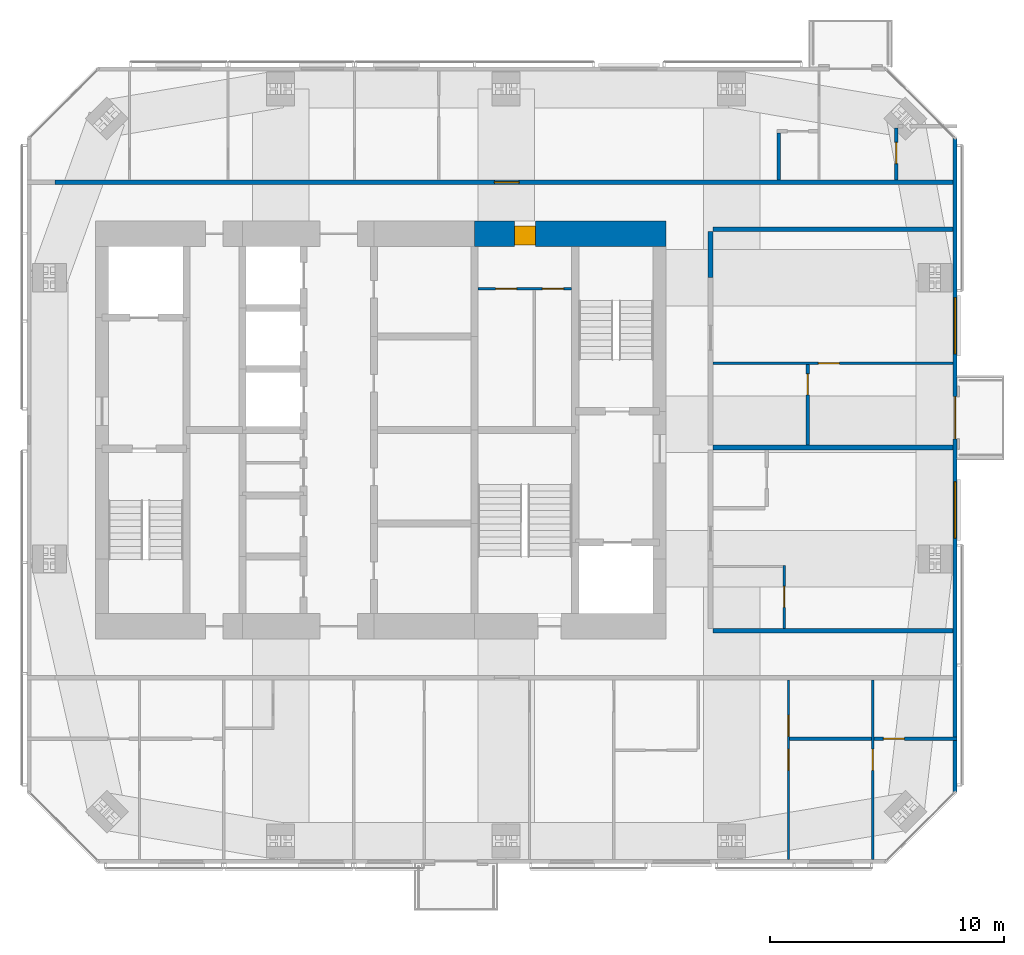
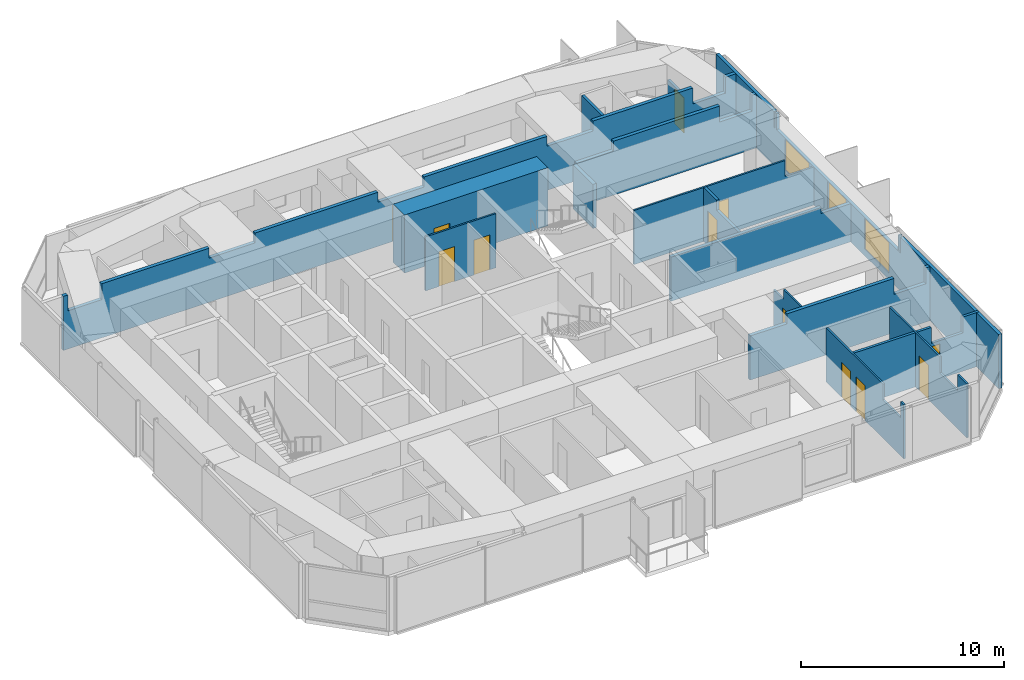
# One storey, part 16 of 18: 17 walls, 13 doors, 2 windows, 15 openings.
"""IFC4 building model written with IfcOpenShell, lengths in metres."""

import ifcopenshell
import ifcopenshell.guid

model = None  # the IFC model being written
_history = None  # IfcOwnerHistory: only IFC2X3 demands one
_inside = {}  # id of a spatial element -> (the spatial element, [elements in it])
_under = {}  # id of a project, library or spatial element -> (it, [spatial elements below it])
_declared = {}  # id of a project -> (the project, [libraries it declares])
_typed = {}  # id of a type object -> (the type object, [elements of that type])
_made_of = {}  # id of a material, layer set ... -> (it, [elements and type objects made of it])


def new_model(schema):
    """Start an empty IFC model of exactly this schema.

    Asked for "IFC4X3", IfcOpenShell would pick the latest addendum, in which some entities
    have other attributes; the version numbers below select the first issue.
    IFC2X3 requires an IfcOwnerHistory on every rooted entity: one is made here for all.
    """
    global model, _history
    if schema == "IFC4X3":
        model = ifcopenshell.file(schema_version=(4, 3, 0, 0))
    else:
        model = ifcopenshell.file(schema=schema)
    _inside.clear()
    _under.clear()
    _declared.clear()
    _typed.clear()
    _made_of.clear()
    _history = None
    if model.schema == "IFC2X3":
        org = make("IfcOrganization", Name="unknown")
        user = make(
            "IfcPersonAndOrganization",
            ThePerson=make("IfcPerson", FamilyName="unknown"),
            TheOrganization=org,
        )
        app = make(
            "IfcApplication",
            ApplicationDeveloper=org,
            Version="unknown",
            ApplicationFullName="unknown",
            ApplicationIdentifier="unknown",
        )
        _history = make(
            "IfcOwnerHistory",
            OwningUser=user,
            OwningApplication=app,
            ChangeAction="ADDED",
            CreationDate=0,
        )
    return model


def make(cls, **values):
    """One entity of the class cls with the attributes given. An attribute that is None is left unset."""
    return model.create_entity(
        cls, **{name: value for name, value in values.items() if value is not None}
    )


def rooted(cls, **values):
    """An entity with a GlobalId (a new one), such as an element, a storey or a relation."""
    return make(cls, GlobalId=ifcopenshell.guid.new(), OwnerHistory=_history, **values)


def si_unit(unit_type, name, prefix=None):
    """IfcSIUnit, for example si_unit("LENGTHUNIT", "METRE", prefix="MILLI")."""
    return make("IfcSIUnit", UnitType=unit_type, Prefix=prefix, Name=name)


def assignment(units):
    """IfcUnitAssignment: the units of a project."""
    return None if units is None else make("IfcUnitAssignment", Units=units)


def point(xyz):
    """IfcCartesianPoint."""
    return None if xyz is None else make("IfcCartesianPoint", Coordinates=xyz)


def direction(xyz):
    """IfcDirection."""
    return None if xyz is None else make("IfcDirection", DirectionRatios=xyz)


def frame(location, z_axis=None, x_axis=None):
    """IfcAxis2Placement3D, a coordinate frame: its origin and axes. An axis left out is left unset."""
    return make(
        "IfcAxis2Placement3D",
        Location=point(location),
        Axis=direction(z_axis),
        RefDirection=direction(x_axis),
    )


def frame_2d(location, x_axis=None):
    """IfcAxis2Placement2D, a coordinate frame in the plane: its origin and x axis."""
    return make(
        "IfcAxis2Placement2D", Location=point(location), RefDirection=direction(x_axis)
    )


def origin():
    """The frame at (0, 0, 0) with its axes left unset."""
    return frame((0.0, 0.0, 0.0))


def place(relative_to, where):
    """IfcLocalPlacement: puts the frame where relative to a parent placement (None: the world)."""
    return make(
        "IfcLocalPlacement", PlacementRelTo=relative_to, RelativePlacement=where
    )


def context(
    kind, dimensions, precision=None, world=None, true_north=None, identifier=None
):
    """IfcGeometricRepresentationContext, for example the 3D "Model" context."""
    return make(
        "IfcGeometricRepresentationContext",
        ContextIdentifier=identifier,
        ContextType=kind,
        CoordinateSpaceDimension=dimensions,
        Precision=precision,
        WorldCoordinateSystem=world,
        TrueNorth=true_north,
    )


def subcontext(parent, identifier, kind, view, scale=None):
    """IfcGeometricRepresentationSubContext, for example "Body" below "Model"."""
    return make(
        "IfcGeometricRepresentationSubContext",
        ContextIdentifier=identifier,
        ContextType=kind,
        ParentContext=parent,
        TargetScale=scale,
        TargetView=view,
    )


def project(units=None, contexts=None):
    """IfcProject with its units and contexts."""
    return rooted(
        "IfcProject",
        Name="project",
        RepresentationContexts=contexts,
        UnitsInContext=assignment(units),
    )


def spatial(cls, under=None, at=None, **own):
    """A site, building, storey or space (cls), placed at a placement, below another one or the project."""
    s = rooted(cls, ObjectPlacement=at, **own)
    if under is not None:
        _under.setdefault(under.id(), (under, []))[1].append(s)
    return s


def polyline(points):
    """IfcPolyline through the points."""
    return make("IfcPolyline", Points=[point(p) for p in points])


def profile(cls, at=None, kind="AREA", **sizes):
    """A parametric profile (cls). Its sizes go by their IFC names, for example OverallWidth=200.0."""
    return make(cls, ProfileType=kind, Position=at, **sizes)


def rectangle(**sizes):
    """IfcRectangleProfileDef."""
    return profile("IfcRectangleProfileDef", **sizes)


def outline(outer, holes=None, kind="AREA"):
    """IfcArbitraryClosedProfileDef: a profile drawn as a closed curve; with holes, ...WithVoids."""
    if holes is None:
        return make("IfcArbitraryClosedProfileDef", ProfileType=kind, OuterCurve=outer)
    return make(
        "IfcArbitraryProfileDefWithVoids",
        ProfileType=kind,
        OuterCurve=outer,
        InnerCurves=holes,
    )


def extrude(swept, where, along, depth):
    """IfcExtrudedAreaSolid: the profile swept, set in the frame where, extruded along a direction by depth."""
    return make(
        "IfcExtrudedAreaSolid",
        SweptArea=swept,
        Position=where,
        ExtrudedDirection=direction(along),
        Depth=depth,
    )


def shape(context_of_items, identifier, shape_type, items):
    """IfcShapeRepresentation: the items that make up one representation, for example the "Body"."""
    return make(
        "IfcShapeRepresentation",
        ContextOfItems=context_of_items,
        RepresentationIdentifier=identifier,
        RepresentationType=shape_type,
        Items=items,
    )


def material(Name=None, Category=None):
    """IfcMaterial."""
    return make("IfcMaterial", Name=Name, Category=Category)


def layer(
    of_material, thickness, ventilated=None, Name=None, Category=None, Priority=None
):
    """IfcMaterialLayer: one layer of a wall or slab, of a material (None: an air gap)."""
    return make(
        "IfcMaterialLayer",
        Material=of_material,
        LayerThickness=thickness,
        IsVentilated=ventilated,
        Name=Name,
        Category=Category,
        Priority=Priority,
    )


def layer_set(layers, Name=None):
    """IfcMaterialLayerSet."""
    return make("IfcMaterialLayerSet", MaterialLayers=layers, LayerSetName=Name)


def constituent(of_material, Name=None, Category=None, fraction=None):
    """IfcMaterialConstituent: one of the materials an element consists of."""
    return make(
        "IfcMaterialConstituent",
        Name=Name,
        Material=of_material,
        Fraction=fraction,
        Category=Category,
    )


def constituent_set(constituents=None, Name=None):
    """IfcMaterialConstituentSet."""
    return make(
        "IfcMaterialConstituentSet", Name=Name, MaterialConstituents=constituents
    )


def made_of(thing, what):
    """Note that an element or type object is made of a material, layer set ...; save() writes the relation."""
    if what is not None:
        _made_of.setdefault(what.id(), (what, []))[1].append(thing)
    return thing


def type_object(cls, material=None, **own):
    """A type object (cls), such as IfcWallType, which elements share."""
    return made_of(rooted(cls, **own), material)


def element(
    cls,
    number,
    at=None,
    inside=None,
    cuts=None,
    type_object=None,
    material=None,
    context=None,
    identifier="Body",
    shape_type=None,
    held_by="IfcProductDefinitionShape",
    body=None,
    shapes=None,
    **own,
):
    """One element of the class cls, such as IfcWall. Its Tag is "e" and its number.

    at: its placement. inside: the storey or other place that contains it. cuts: it is an
    opening in that element (IfcRelVoidsElement). A single representation is given by context,
    identifier, shape_type and body (its items); several are given by shapes. held_by: the class
    of the entity that holds the representations. save() writes the other relations.
    """
    e = rooted(cls, Tag="e%d" % number, ObjectPlacement=at, **own)
    if body is not None:
        shapes = [shape(context, identifier, shape_type, body)]
    if shapes is not None:
        e.Representation = make(held_by, Representations=shapes)
    if inside is not None:
        _inside.setdefault(inside.id(), (inside, []))[1].append(e)
    if cuts is not None:
        rooted(
            "IfcRelVoidsElement", RelatingBuildingElement=cuts, RelatedOpeningElement=e
        )
    if type_object is not None:
        _typed.setdefault(type_object.id(), (type_object, []))[1].append(e)
    return made_of(e, material)


def fill(opening, filler):
    """IfcRelFillsElement: the door or window that sits in an opening."""
    return rooted(
        "IfcRelFillsElement",
        RelatingOpeningElement=opening,
        RelatedBuildingElement=filler,
    )


def aggregate(whole, parts):
    """IfcRelAggregates: a whole, such as a stair, and the parts it consists of."""
    return rooted("IfcRelAggregates", RelatingObject=whole, RelatedObjects=parts)


def save(model, path):
    """Write the relations noted so far, then the file.

    IfcRelAggregates (storeys below a building ...), IfcRelContainedInSpatialStructure (elements
    in a storey), IfcRelDefinesByType, IfcRelAssociatesMaterial and IfcRelDeclares: one each for
    every whole, place, type object, material and project.
    """
    for whole, parts in _under.values():
        aggregate(whole, parts)
    for where, things in _inside.values():
        rooted(
            "IfcRelContainedInSpatialStructure",
            RelatedElements=things,
            RelatingStructure=where,
        )
    for kind, things in _typed.values():
        rooted("IfcRelDefinesByType", RelatedObjects=things, RelatingType=kind)
    for what, things in _made_of.values():
        rooted("IfcRelAssociatesMaterial", RelatedObjects=things, RelatingMaterial=what)
    for by, libraries in _declared.values():
        rooted("IfcRelDeclares", RelatingContext=by, RelatedDefinitions=libraries)
    model.write(path)


model = new_model("IFC4")

# Units and contexts
model_context = context("Model", 3, precision=1e-05, world=origin(), true_north=direction((0.0, 1.0)))
body_context = subcontext(model_context, "Body", "Model", "MODEL_VIEW")
ifc_project = project(units=[si_unit("LENGTHUNIT", "METRE"), si_unit("AREAUNIT", "SQUARE_METRE"), si_unit("VOLUMEUNIT", "CUBIC_METRE"), si_unit("PLANEANGLEUNIT", "RADIAN"), si_unit("MASSUNIT", "GRAM", prefix="KILO")], contexts=[model_context])

# Site, building, storey
site_placement = place(None, origin())
site = spatial("IfcSite", under=ifc_project, at=site_placement, CompositionType="ELEMENT")
building_placement = place(site_placement, origin())
building = spatial("IfcBuilding", under=site, at=building_placement, Name="Jalousie Tower", CompositionType="ELEMENT")
storey_placement = place(building_placement, frame((0.0, 0.0, 249.449951171875)))
storey = spatial("IfcBuildingStorey", under=building, at=storey_placement, Name="L68", CompositionType="ELEMENT", Elevation=249.449951171875)

# Wall
ifc_material_1 = material(Name="Concrete block ASTM C90", Category="concrete")
ifc_constituent_1 = constituent(ifc_material_1, Name="Body")
ifc_material_2 = material(Name="Render")
ifc_constituent_2 = constituent(ifc_material_2, Name="Finish")
ifc_constituent_set_1 = constituent_set(constituents=[ifc_constituent_1, ifc_constituent_2])
wall_type_1 = type_object("IfcWallType", Name="BATHROOM WALL 150", PredefinedType="PLUMBINGWALL", material=ifc_constituent_set_1)
wall_1_placement = place(storey_placement, frame((49.35009765625, 5.324951171875, 0.0), z_axis=(0.0, 0.0, 1.0), x_axis=(1.0, 0.0, 0.0)))
element("IfcWall", 1, at=wall_1_placement, inside=storey, type_object=wall_type_1, Name="Bathroom Wall 150 L68", PredefinedType="PLUMBINGWALL", context=body_context, shape_type="SweptSolid", body=[
    extrude(rectangle(XDim=3.5, YDim=0.14990234375, at=frame_2d((1.75, 0.0))), origin(), (0.0, 0.0, 1.0), 3.260009765625),
])

# Wall, opening, door
wall_2_placement = place(storey_placement, frame((52.949951171875, 5.324951171875, 0.0), z_axis=(0.0, 0.0, 1.0), x_axis=(1.0, 0.0, 0.0)))
wall_2 = element("IfcWall", 2, at=wall_2_placement, inside=storey, type_object=wall_type_1, Name="Bathroom Wall 150 L68", PredefinedType="PLUMBINGWALL", context=body_context, shape_type="SweptSolid", body=[
    extrude(outline(polyline([(0.0, 0.0), (3.550048828125, 0.0), (3.550048828125, 3.260009765625), (2.596923828125, 3.260009765625), (2.596923828125, 2.300048828125), (0.815185546875, 2.300048828125), (0.815185546875, 3.260009765625), (0.0, 3.260009765625), (0.0, 0.0)])), frame((0.0, 0.074951171875, 0.0), z_axis=(0.0, -1.0, 0.0), x_axis=(1.0, 0.0, 0.0)), (0.0, 0.0, 1.0), 0.14990234375),
])
opening_1_placement = place(wall_2_placement, frame((0.39990234375, 0.0, 0.0)))
opening_1 = element("IfcOpeningElement", 3, at=opening_1_placement, cuts=wall_2, Name="Opening D3", PredefinedType="OPENING", context=body_context, shape_type="SweptSolid", body=[
    extrude(rectangle(XDim=0.89990234375, YDim=2.10009765625, at=frame_2d((0.449951171875, 1.050048828125))), frame((0.0, 0.0849609375, 0.0), z_axis=(0.0, -1.0, 0.0), x_axis=(1.0, 0.0, 0.0)), (0.0, 0.0, 1.0), 0.169921875),
])
ifc_material_3 = material(Name="Timber door", Category="wood")
door_type_1 = type_object("IfcDoorType", Name="BATHROOM DOOR 900", OperationType="SINGLE_SWING_LEFT", PredefinedType="DOOR", material=ifc_material_3)
door_1_placement = place(opening_1_placement, origin())
door_1 = element("IfcDoor", 4, at=door_1_placement, inside=storey, type_object=door_type_1, Name="Apartment 6801 bedroom 4 bathroom door", OperationType="SINGLE_SWING_LEFT", OverallHeight=2.10009765625, OverallWidth=0.89990234375, PredefinedType="DOOR", context=body_context, shape_type="SweptSolid", body=[
    extrude(rectangle(XDim=0.89990234375, YDim=2.10009765625, at=frame_2d((0.449951171875, 1.050048828125))), frame((0.0, 0.02490234375, 0.0), z_axis=(0.0, -1.0, 0.0), x_axis=(1.0, 0.0, 0.0)), (0.0, 0.0, 1.0), 0.050048828125),
])
fill(opening_1, door_1)

wall_3_placement = place(storey_placement, frame((53.89990234375, 31.39990234375, 0.0), z_axis=(0.0, 0.0, 1.0), x_axis=(0.0, -1.0, 0.0)))
wall_3 = element("IfcWall", 5, at=wall_3_placement, inside=storey, type_object=wall_type_1, Name="Bathroom Wall 150 L68", PredefinedType="PLUMBINGWALL", context=body_context, shape_type="SweptSolid", body=[
    extrude(outline(polyline([(0.0, 0.0), (2.224853515625, 0.0), (2.22509765625, 3.260009765625), (2.22509765625, 2.300048828125), (0.43798828125, 2.300048828125), (0.0, 2.300048828125), (0.0, 3.260009765625), (0.0, 0.0)])), frame((0.0, 0.074951171875, 0.0), z_axis=(0.0, -1.0, 0.0), x_axis=(1.0, 0.0, 0.0)), (0.0, 0.0, 1.0), 0.14990234375),
])
opening_2_placement = place(wall_3_placement, frame((0.625, 0.0, 0.0)))
opening_2 = element("IfcOpeningElement", 6, at=opening_2_placement, cuts=wall_3, Name="Opening D3", PredefinedType="OPENING", context=body_context, shape_type="SweptSolid", body=[
    extrude(rectangle(XDim=0.89990234375, YDim=2.10009765625, at=frame_2d((0.449951171875, 1.050048828125))), frame((0.0, 0.0849609375, 0.0), z_axis=(0.0, -1.0, 0.0), x_axis=(1.0, 0.0, 0.0)), (0.0, 0.0, 1.0), 0.169921875),
])
door_2_placement = place(opening_2_placement, origin())
door_2 = element("IfcDoor", 7, at=door_2_placement, inside=storey, type_object=door_type_1, Name="Apartment 6802 bathroom door", OperationType="SINGLE_SWING_LEFT", OverallHeight=2.10009765625, OverallWidth=0.89990234375, PredefinedType="DOOR", context=body_context, shape_type="SweptSolid", body=[
    extrude(rectangle(XDim=0.89990234375, YDim=2.10009765625, at=frame_2d((0.449951171875, 1.050048828125))), frame((0.0, 0.02490234375, 0.0), z_axis=(0.0, -1.0, 0.0), x_axis=(1.0, 0.0, 0.0)), (0.0, 0.0, 1.0), 0.050048828125),
])
fill(opening_2, door_2)

wall_4_placement = place(storey_placement, frame((50.125, 17.85009765625, 0.0), z_axis=(0.0, 0.0, 1.0), x_axis=(0.0, 1.0, 0.0)))
wall_4 = element("IfcWall", 8, at=wall_4_placement, inside=storey, type_object=wall_type_1, Name="Bathroom Wall 150 L68", PredefinedType="PLUMBINGWALL", context=body_context, shape_type="SweptSolid", body=[
    extrude(outline(polyline([(0.0, 0.0), (3.449951171875, 0.0), (3.449951171875, 3.260009765625), (2.18505859375, 3.260009765625), (2.18505859375, 2.66015625), (0.0, 2.66015625), (0.0, 3.260009765625), (0.0, 0.0)])), frame((0.0, 0.074951171875, 0.0), z_axis=(0.0, -1.0, 0.0), x_axis=(1.0, 0.0, 0.0)), (0.0, 0.0, 1.0), 0.14990234375),
])
opening_3_placement = place(wall_4_placement, frame((2.14990234375, 0.0, 0.0)))
opening_3 = element("IfcOpeningElement", 9, at=opening_3_placement, cuts=wall_4, Name="Opening D3", PredefinedType="OPENING", context=body_context, shape_type="SweptSolid", body=[
    extrude(rectangle(XDim=0.89990234375, YDim=2.10009765625, at=frame_2d((0.449951171875, 1.050048828125))), frame((0.0, 0.0849609375, 0.0), z_axis=(0.0, -1.0, 0.0), x_axis=(1.0, 0.0, 0.0)), (0.0, 0.0, 1.0), 0.169921875),
])
door_3_placement = place(opening_3_placement, origin())
door_3 = element("IfcDoor", 10, at=door_3_placement, inside=storey, type_object=door_type_1, Name="Apartment 6804 bedroom 1 bathroom door", OperationType="SINGLE_SWING_RIGHT", OverallHeight=2.10009765625, OverallWidth=0.89990234375, PredefinedType="DOOR", context=body_context, shape_type="SweptSolid", body=[
    extrude(rectangle(XDim=0.89990234375, YDim=2.10009765625, at=frame_2d((0.449951171875, 1.050048828125))), frame((0.0, 0.02490234375, 0.0), z_axis=(0.0, -1.0, 0.0), x_axis=(1.0, 0.0, 0.0)), (0.0, 0.0, 1.0), 0.050048828125),
])
fill(opening_3, door_3)

# Wall
wall_5_placement = place(storey_placement, frame((48.87744140625, 29.175048828125, 0.0), z_axis=(0.0, 0.0, 1.0), x_axis=(0.0, 1.0, 0.0)))
element("IfcWall", 11, at=wall_5_placement, inside=storey, type_object=wall_type_1, Name="Bathroom Wall 150 L68", PredefinedType="PLUMBINGWALL", context=body_context, shape_type="SweptSolid", body=[
    extrude(rectangle(XDim=2.0, YDim=0.14990234375, at=frame_2d((1.0, 0.0))), origin(), (0.0, 0.0, 1.0), 3.260009765625),
])

# Wall, opening, door
ifc_material_4 = material(Name="Concrete f'c 120 MPa", Category="concrete")
ifc_layer = layer(ifc_material_4, 1.10009765625)
ifc_layer_set = layer_set([ifc_layer], Name="Concrete f'c 120 MPa")
wall_type_2 = type_object("IfcWallType", Name="CORE WALL 1100", PredefinedType="SHEAR", material=ifc_layer_set)
wall_6_placement = place(storey_placement, frame((44.074951171875, 26.875, 0.0), z_axis=(0.0, 0.0, 1.0), x_axis=(-1.0, 0.0, 0.0)))
wall_6 = element("IfcWall", 12, at=wall_6_placement, inside=storey, type_object=wall_type_2, Name="Core wall NA L68", PredefinedType="SHEAR", context=body_context, shape_type="SweptSolid", body=[
    extrude(rectangle(XDim=8.175048828125, YDim=1.10009765625, at=frame_2d((4.08740234375, 0.0))), origin(), (0.0, 0.0, 1.0), 3.5),
])
opening_4_placement = place(wall_6_placement, frame((5.574951171875, 0.0, 0.0)))
opening_4 = element("IfcOpeningElement", 13, at=opening_4_placement, cuts=wall_6, Name="Opening D25", PredefinedType="OPENING", context=body_context, shape_type="SweptSolid", body=[
    extrude(rectangle(XDim=0.89990234375, YDim=2.10009765625, at=frame_2d((0.449951171875, 1.050048828125))), frame((0.0, 0.56005859375, 0.0), z_axis=(0.0, -1.0, 0.0), x_axis=(1.0, 0.0, 0.0)), (0.0, 0.0, 1.0), 1.1201171875),
])
ifc_material_5 = material(Name="Steel fire door", Category="steel")
door_type_2 = type_object("IfcDoorType", Name="SERVICE LOBBY DOOR 900", OperationType="SINGLE_SWING_LEFT", PredefinedType="DOOR", material=ifc_material_5)
door_4_placement = place(opening_4_placement, origin())
door_4 = element("IfcDoor", 14, at=door_4_placement, inside=storey, type_object=door_type_2, Name="Service lobby door", OperationType="SINGLE_SWING_LEFT", OverallHeight=2.10009765625, OverallWidth=0.89990234375, PredefinedType="DOOR", context=body_context, shape_type="SweptSolid", body=[
    extrude(rectangle(XDim=0.89990234375, YDim=2.10009765625, at=frame_2d((0.449951171875, 1.050048828125))), frame((0.0, 0.47021484375, 0.0), z_axis=(0.0, -1.0, 0.0), x_axis=(1.0, 0.0, 0.0)), (0.0, 0.0, 1.0), 0.800048828125),
])
fill(opening_4, door_4)

# Walls
ifc_material_6 = material(Name="Concrete block ASTM C90", Category="concrete")
ifc_constituent_3 = constituent(ifc_material_6, Name="Body")
ifc_material_7 = material(Name="Render")
ifc_constituent_4 = constituent(ifc_material_7, Name="Finish")
ifc_constituent_set_2 = constituent_set(constituents=[ifc_constituent_3, ifc_constituent_4])
wall_type_3 = type_object("IfcWallType", Name="CORRIDOR WALL 200", PredefinedType="PARTITIONING", material=ifc_constituent_set_2)
wall_7_placement = place(storey_placement, frame((46.074951171875, 9.925048828125, 0.0), z_axis=(0.0, 0.0, 1.0), x_axis=(1.0, 0.0, 0.0)))
element("IfcWall", 15, at=wall_7_placement, inside=storey, type_object=wall_type_3, Name="Corridor Wall 200 L68", PredefinedType="PARTITIONING", context=body_context, shape_type="SweptSolid", body=[
    extrude(outline(polyline([(0.0, 0.0), (10.25, 0.0), (10.25, 3.260009765625), (10.032958984375, 3.260009765625), (10.032958984375, 2.300048828125), (8.20068359375, 2.300048828125), (8.20068359375, 3.260009765625), (2.110107421875, 3.260009765625), (2.110107421875, 2.66015625), (0.0, 2.66015625), (0.0, 3.260009765625), (0.0, 0.0)])), frame((0.0, 0.10009765625, 0.0), z_axis=(0.0, -1.0, 0.0), x_axis=(1.0, 0.0, 0.0)), (0.0, 0.0, 1.0), 0.199951171875),
])
wall_8_placement = place(storey_placement, frame((46.074951171875, 27.074951171875, 0.0), z_axis=(0.0, 0.0, 1.0), x_axis=(1.0, 0.0, 0.0)))
element("IfcWall", 16, at=wall_8_placement, inside=storey, type_object=wall_type_3, Name="Corridor Wall 200 L68", PredefinedType="PARTITIONING", context=body_context, shape_type="SweptSolid", body=[
    extrude(outline(polyline([(0.0, 0.0), (10.25, 0.0), (10.25, 3.260009765625), (10.0166015625, 3.260009765625), (10.0166015625, 2.300048828125), (8.16552734375, 2.300048828125), (8.16552734375, 3.260009765625), (2.110107421875, 3.260009765625), (2.110107421875, 2.66015625), (0.0, 2.66015625), (0.0, 3.260009765625), (0.0, 0.0)])), frame((0.0, 0.10009765625, 0.0), z_axis=(0.0, -1.0, 0.0), x_axis=(1.0, 0.0, 0.0)), (0.0, 0.0, 1.0), 0.199951171875),
])

# Wall, opening, door
wall_9_placement = place(storey_placement, frame((18.0, 29.074951171875, 0.0), z_axis=(0.0, 0.0, 1.0), x_axis=(1.0, 0.0, 0.0)))
wall_9 = element("IfcWall", 17, at=wall_9_placement, inside=storey, type_object=wall_type_3, Name="Corridor Wall 200 L68", PredefinedType="PARTITIONING", context=body_context, shape_type="SweptSolid", body=[
    extrude(outline(polyline([(0.0, 0.0), (38.324951171875, 0.0), (38.324951171875, 3.260009765625), (37.72119140625, 3.260009765625), (37.72119140625, 2.300048828125), (35.870361328125, 2.300048828125), (35.870361328125, 3.260009765625), (30.18505859375, 3.260009765625), (30.18505859375, 2.66015625), (27.56494140625, 2.66015625), (27.56494140625, 3.260009765625), (20.56005859375, 3.260009765625), (20.56005859375, 2.66015625), (17.93994140625, 2.66015625), (17.93994140625, 3.260009765625), (10.93505859375, 3.260009765625), (10.93505859375, 2.66015625), (8.31494140625, 2.66015625), (8.31494140625, 3.260009765625), (2.191650390625, 3.260009765625), (2.191650390625, 2.300048828125), (0.25634765625, 2.300048828125), (0.25634765625, 3.260009765625), (0.0, 3.260009765625), (0.0, 0.0)])), frame((0.0, 0.10009765625, 0.0), z_axis=(0.0, -1.0, 0.0), x_axis=(1.0, 0.0, 0.0)), (0.0, 0.0, 1.0), 0.199951171875),
])
opening_5_placement = place(wall_9_placement, frame((18.75, 0.0, 0.0)))
opening_5 = element("IfcOpeningElement", 18, at=opening_5_placement, cuts=wall_9, Name="Opening D1", PredefinedType="OPENING", context=body_context, shape_type="SweptSolid", body=[
    extrude(rectangle(XDim=1.050048828125, YDim=2.199951171875, at=frame_2d((0.52490234375, 1.10009765625))), frame((0.0, 0.10986328125, 0.0), z_axis=(0.0, -1.0, 0.0), x_axis=(1.0, 0.0, 0.0)), (0.0, 0.0, 1.0), 0.219970703125),
])
ifc_material_8 = material(Name="Timber fire door", Category="wood")
door_type_3 = type_object("IfcDoorType", Name="APARTMENT ENTRANCE DOOR 1050", OperationType="SINGLE_SWING_LEFT", PredefinedType="DOOR", material=ifc_material_8)
door_5_placement = place(opening_5_placement, origin())
door_5 = element("IfcDoor", 19, at=door_5_placement, inside=storey, type_object=door_type_3, Name="Apartment 6802 entrance", OperationType="SINGLE_SWING_LEFT", OverallHeight=2.199951171875, OverallWidth=1.050048828125, PredefinedType="DOOR", context=body_context, shape_type="SweptSolid", body=[
    extrude(rectangle(XDim=1.050048828125, YDim=2.199951171875, at=frame_2d((0.52490234375, 1.10009765625))), frame((0.0, 0.02490234375, 0.0), z_axis=(0.0, -1.0, 0.0), x_axis=(1.0, 0.0, 0.0)), (0.0, 0.0, 1.0), 0.050048828125),
])
fill(opening_5, door_5)

# Wall
wall_10_placement = place(storey_placement, frame((45.97509765625, 25.0, 0.0), z_axis=(0.0, 0.0, 1.0), x_axis=(0.0, 1.0, 0.0)))
element("IfcWall", 20, at=wall_10_placement, inside=storey, type_object=wall_type_3, Name="Corridor Wall 200 L68-B", PredefinedType="PARTITIONING", context=body_context, shape_type="SweptSolid", body=[
    extrude(rectangle(XDim=1.97509765625, YDim=0.199951171875, at=frame_2d((0.987548828125, 0.0))), origin(), (0.0, 0.0, 1.0), 2.66015625),
])

# Wall, openings, door, windows
ifc_material_9 = material(Name="Concrete f'c 40 MPa", Category="concrete")
ifc_constituent_5 = constituent(ifc_material_9, Name="Body")
ifc_material_10 = material(Name="Render, pastel sky blue")
ifc_constituent_6 = constituent(ifc_material_10, Name="Finish")
ifc_constituent_set_3 = constituent_set(constituents=[ifc_constituent_5, ifc_constituent_6])
wall_type_4 = type_object("IfcWallType", Name="EXTERNAL WALL 175 SKY BLUE RENDER", PredefinedType="SOLIDWALL", material=ifc_constituent_set_3)
wall_11_placement = place(storey_placement, frame((56.41259765625, 3.05126953125, 0.0), z_axis=(0.0, 0.0, 1.0), x_axis=(0.0, 1.0, 0.0)))
wall_11 = element("IfcWall", 21, at=wall_11_placement, inside=storey, type_object=wall_type_4, Name="External Wall 175 Sky Blue Render L68", PredefinedType="SOLIDWALL", context=body_context, shape_type="SweptSolid", body=[
    extrude(outline(polyline([(0.0, 0.0), (27.8974609375, 0.0), (27.8974609375, 3.260009765625), (22.1572265625, 3.260009765625), (22.1572265625, 2.300048828125), (22.092041015625, 2.300048828125), (22.092041015625, 3.260009765625), (21.94873046875, 3.260009765625), (21.94873046875, 2.300048828125), (9.94873046875, 2.300048828125), (9.94873046875, 3.260009765625), (9.8583984375, 3.260009765625), (9.8583984375, 2.300048828125), (9.6875, 2.300048828125), (9.6875, 3.260009765625), (0.0, 3.260009765625), (0.0, 0.0)])), frame((0.0, 0.08740234375, 0.0), z_axis=(0.0, -1.0, 0.0), x_axis=(1.0, 0.0, 0.0)), (0.0, 0.0, 1.0), 0.175048828125),
])
opening_6_placement = place(wall_11_placement, frame((10.83056640625, 0.0, 0.39990234375)))
opening_6 = element("IfcOpeningElement", 22, at=opening_6_placement, cuts=wall_11, Name="Opening W-LIV185", PredefinedType="OPENING", context=body_context, shape_type="SweptSolid", body=[
    extrude(rectangle(XDim=2.39990234375, YDim=1.85009765625, at=frame_2d((1.199951171875, 0.925048828125))), frame((0.0, 0.097412109375, 0.0), z_axis=(0.0, -1.0, 0.0), x_axis=(1.0, 0.0, 0.0)), (0.0, 0.0, 1.0), 0.195068359375),
])
opening_7_placement = place(wall_11_placement, frame((15.07373046875, 0.0, 0.0)))
opening_7 = element("IfcOpeningElement", 23, at=opening_7_placement, cuts=wall_11, Name="Opening D-BAL22", PredefinedType="OPENING", context=body_context, shape_type="SweptSolid", body=[
    extrude(rectangle(XDim=1.800048828125, YDim=2.25, at=frame_2d((0.89990234375, 1.125))), frame((0.0, 0.097412109375, 0.0), z_axis=(0.0, -1.0, 0.0), x_axis=(1.0, 0.0, 0.0)), (0.0, 0.0, 1.0), 0.195068359375),
])
opening_8_placement = place(wall_11_placement, frame((18.69873046875, 0.0, 0.39990234375)))
opening_8 = element("IfcOpeningElement", 24, at=opening_8_placement, cuts=wall_11, Name="Opening W-LIV185", PredefinedType="OPENING", context=body_context, shape_type="SweptSolid", body=[
    extrude(rectangle(XDim=2.39990234375, YDim=1.85009765625, at=frame_2d((1.199951171875, 0.925048828125))), frame((0.0, 0.097412109375, 0.0), z_axis=(0.0, -1.0, 0.0), x_axis=(1.0, 0.0, 0.0)), (0.0, 0.0, 1.0), 0.195068359375),
])
ifc_material_11 = material(Name="Aluminium frame, impact-rated glazing", Category="aluminium")
door_type_4 = type_object("IfcDoorType", Name="BALCONY DOOR 1800x2250", OperationType="SLIDING_TO_LEFT", PredefinedType="DOOR", material=ifc_material_11)
door_6_placement = place(opening_7_placement, origin())
door_6 = element("IfcDoor", 25, at=door_6_placement, inside=storey, type_object=door_type_4, Name="Apartment 6804 bedroom 1 balcony door", OperationType="SLIDING_TO_LEFT", OverallHeight=2.25, OverallWidth=1.800048828125, PredefinedType="DOOR", context=body_context, shape_type="SweptSolid", body=[
    extrude(rectangle(XDim=1.800048828125, YDim=2.25, at=frame_2d((0.89990234375, 1.125))), frame((0.0, 0.02490234375, 0.0), z_axis=(0.0, -1.0, 0.0), x_axis=(1.0, 0.0, 0.0)), (0.0, 0.0, 1.0), 0.050048828125),
])
fill(opening_7, door_6)
ifc_material_12 = material(Name="Aluminium frame, impact-rated glazing", Category="aluminium")
window_type = type_object("IfcWindowType", Name="WINDOW LIV 2400x1850", PartitioningType="DOUBLE_PANEL_VERTICAL", PredefinedType="WINDOW", material=ifc_material_12)
window_1_placement = place(opening_6_placement, origin())
window_1 = element("IfcWindow", 26, at=window_1_placement, inside=storey, type_object=window_type, Name="Apartment 6803 studio living and sleeping room window", OverallHeight=1.85009765625, OverallWidth=2.39990234375, PartitioningType="SINGLE_PANEL", PredefinedType="WINDOW", context=body_context, shape_type="SweptSolid", body=[
    extrude(rectangle(XDim=2.39990234375, YDim=1.85009765625, at=frame_2d((1.199951171875, 0.925048828125))), frame((0.0, 0.030029296875, 0.0), z_axis=(0.0, -1.0, 0.0), x_axis=(1.0, 0.0, 0.0)), (0.0, 0.0, 1.0), 0.06005859375),
])
fill(opening_6, window_1)
window_2_placement = place(opening_8_placement, origin())
window_2 = element("IfcWindow", 27, at=window_2_placement, inside=storey, type_object=window_type, Name="Apartment 6804 living, dining and kitchen window", OverallHeight=1.85009765625, OverallWidth=2.39990234375, PartitioningType="SINGLE_PANEL", PredefinedType="WINDOW", context=body_context, shape_type="SweptSolid", body=[
    extrude(rectangle(XDim=2.39990234375, YDim=1.85009765625, at=frame_2d((1.199951171875, 0.925048828125))), frame((0.0, 0.030029296875, 0.0), z_axis=(0.0, -1.0, 0.0), x_axis=(1.0, 0.0, 0.0)), (0.0, 0.0, 1.0), 0.06005859375),
])
fill(opening_8, window_2)

# Wall, openings, doors
ifc_material_13 = material(Name="Gypsum board", Category="gypsum")
ifc_constituent_7 = constituent(ifc_material_13, Name="Body")
ifc_material_14 = material(Name="Light-gauge steel studs ASTM A653 SS Grade 33", Category="steel")
ifc_constituent_8 = constituent(ifc_material_14, Name="Framing")
ifc_constituent_set_4 = constituent_set(constituents=[ifc_constituent_7, ifc_constituent_8])
wall_type_5 = type_object("IfcWallType", Name="PARTITION 100", PredefinedType="PARTITIONING", material=ifc_constituent_set_4)
wall_12_placement = place(storey_placement, frame((49.300048828125, 0.175048828125, 0.0), z_axis=(0.0, 0.0, 1.0), x_axis=(0.0, 1.0, 0.0)))
wall_12 = element("IfcWall", 28, at=wall_12_placement, inside=storey, type_object=wall_type_5, Name="Partition 100 L68", PredefinedType="PARTITIONING", context=body_context, shape_type="SweptSolid", body=[
    extrude(outline(polyline([(0.0, 0.0), (7.64990234375, 0.0), (7.64990234375, 3.260009765625), (2.05810546875, 3.260009765625), (2.05810546875, 2.300048828125), (0.313720703125, 2.300048828125), (0.313720703125, 3.260009765625), (0.0, 3.260009765625), (0.0, 0.0)])), frame((0.0, 0.050048828125, 0.0), z_axis=(0.0, -1.0, 0.0), x_axis=(1.0, 0.0, 0.0)), (0.0, 0.0, 1.0), 0.10009765625),
])
opening_9_placement = place(wall_12_placement, frame((3.800048828125, 0.0, 0.0)))
opening_9 = element("IfcOpeningElement", 29, at=opening_9_placement, cuts=wall_12, Name="Opening D2", PredefinedType="OPENING", context=body_context, shape_type="SweptSolid", body=[
    extrude(rectangle(XDim=0.89990234375, YDim=2.10009765625, at=frame_2d((0.449951171875, 1.050048828125))), frame((0.0, 0.06005859375, 0.0), z_axis=(0.0, -1.0, 0.0), x_axis=(1.0, 0.0, 0.0)), (0.0, 0.0, 1.0), 0.1201171875),
])
opening_10_placement = place(wall_12_placement, frame((5.25, 0.0, 0.0)))
opening_10 = element("IfcOpeningElement", 30, at=opening_10_placement, cuts=wall_12, Name="Opening D7", PredefinedType="OPENING", context=body_context, shape_type="SweptSolid", body=[
    extrude(rectangle(XDim=0.89990234375, YDim=2.10009765625, at=frame_2d((0.449951171875, 1.050048828125))), frame((0.0, 0.06005859375, 0.0), z_axis=(0.0, -1.0, 0.0), x_axis=(1.0, 0.0, 0.0)), (0.0, 0.0, 1.0), 0.1201171875),
])
ifc_material_15 = material(Name="Timber door", Category="wood")
door_type_5 = type_object("IfcDoorType", Name="BEDROOM DOOR 900", OperationType="SINGLE_SWING_LEFT", PredefinedType="DOOR", material=ifc_material_15)
door_7_placement = place(opening_9_placement, frame((0.89990234375, 0.0, 0.0), z_axis=(0.0, 0.0, 1.0), x_axis=(-1.0, 0.0, 0.0)))
door_7 = element("IfcDoor", 31, at=door_7_placement, inside=storey, type_object=door_type_5, Name="Apartment 6801 bedroom 3 door", OperationType="SINGLE_SWING_LEFT", OverallHeight=2.10009765625, OverallWidth=0.89990234375, PredefinedType="DOOR", context=body_context, shape_type="SweptSolid", body=[
    extrude(rectangle(XDim=0.89990234375, YDim=2.10009765625, at=frame_2d((0.449951171875, 1.050048828125))), frame((0.0, 0.02490234375, 0.0), z_axis=(0.0, -1.0, 0.0), x_axis=(1.0, 0.0, 0.0)), (0.0, 0.0, 1.0), 0.050048828125),
])
fill(opening_9, door_7)
ifc_material_16 = material(Name="Timber door", Category="wood")
door_type_6 = type_object("IfcDoorType", Name="INTERNAL DOOR 900", OperationType="SINGLE_SWING_LEFT", PredefinedType="DOOR", material=ifc_material_16)
door_8_placement = place(opening_10_placement, frame((0.89990234375, 0.0, 0.0), z_axis=(0.0, 0.0, 1.0), x_axis=(-1.0, 0.0, 0.0)))
door_8 = element("IfcDoor", 32, at=door_8_placement, inside=storey, type_object=door_type_6, Name="Apartment 6801 bathroom door", OperationType="SINGLE_SWING_RIGHT", OverallHeight=2.10009765625, OverallWidth=0.89990234375, PredefinedType="DOOR", context=body_context, shape_type="SweptSolid", body=[
    extrude(rectangle(XDim=0.89990234375, YDim=2.10009765625, at=frame_2d((0.449951171875, 1.050048828125))), frame((0.0, 0.02490234375, 0.0), z_axis=(0.0, -1.0, 0.0), x_axis=(1.0, 0.0, 0.0)), (0.0, 0.0, 1.0), 0.050048828125),
])
fill(opening_10, door_8)

# Wall, opening, door
wall_13_placement = place(storey_placement, frame((52.89990234375, 0.175048828125, 0.0), z_axis=(0.0, 0.0, 1.0), x_axis=(0.0, 1.0, 0.0)))
wall_13 = element("IfcWall", 33, at=wall_13_placement, inside=storey, type_object=wall_type_5, Name="Partition 100 L68", PredefinedType="PARTITIONING", context=body_context, shape_type="SweptSolid", body=[
    extrude(outline(polyline([(0.0, 0.0), (7.64990234375, 0.0), (7.64990234375, 3.260009765625), (2.668212890625, 3.260009765625), (2.668212890625, 2.300048828125), (0.923828125, 2.300048828125), (0.923828125, 3.260009765625), (0.0, 3.260009765625), (0.0, 0.0)])), frame((0.0, 0.050048828125, 0.0), z_axis=(0.0, -1.0, 0.0), x_axis=(1.0, 0.0, 0.0)), (0.0, 0.0, 1.0), 0.10009765625),
])
opening_11_placement = place(wall_13_placement, frame((3.800048828125, 0.0, 0.0)))
opening_11 = element("IfcOpeningElement", 34, at=opening_11_placement, cuts=wall_13, Name="Opening D2", PredefinedType="OPENING", context=body_context, shape_type="SweptSolid", body=[
    extrude(rectangle(XDim=0.89990234375, YDim=2.10009765625, at=frame_2d((0.449951171875, 1.050048828125))), frame((0.0, 0.06005859375, 0.0), z_axis=(0.0, -1.0, 0.0), x_axis=(1.0, 0.0, 0.0)), (0.0, 0.0, 1.0), 0.1201171875),
])
door_9_placement = place(opening_11_placement, origin())
door_9 = element("IfcDoor", 35, at=door_9_placement, inside=storey, type_object=door_type_5, Name="Apartment 6801 bedroom 4 door", OperationType="SINGLE_SWING_RIGHT", OverallHeight=2.10009765625, OverallWidth=0.89990234375, PredefinedType="DOOR", context=body_context, shape_type="SweptSolid", body=[
    extrude(rectangle(XDim=0.89990234375, YDim=2.10009765625, at=frame_2d((0.449951171875, 1.050048828125))), frame((0.0, 0.02490234375, 0.0), z_axis=(0.0, -1.0, 0.0), x_axis=(1.0, 0.0, 0.0)), (0.0, 0.0, 1.0), 0.050048828125),
])
fill(opening_11, door_9)

wall_14_placement = place(storey_placement, frame((56.324951171875, 21.35009765625, 0.0), z_axis=(0.0, 0.0, 1.0), x_axis=(-1.0, 0.0, 0.0)))
wall_14 = element("IfcWall", 36, at=wall_14_placement, inside=storey, type_object=wall_type_5, Name="Partition 100 L68", PredefinedType="PARTITIONING", context=body_context, shape_type="SweptSolid", body=[
    extrude(outline(polyline([(0.0, 0.0), (10.25, 0.0), (10.25, 3.260009765625), (1.635009765625, 3.260009765625), (1.635009765625, 2.300048828125), (0.0, 2.300048828125), (0.0, 3.260009765625), (0.0, 0.0)])), frame((0.0, 0.050048828125, 0.0), z_axis=(0.0, -1.0, 0.0), x_axis=(1.0, 0.0, 0.0)), (0.0, 0.0, 1.0), 0.10009765625),
])
opening_12_placement = place(wall_14_placement, frame((4.85009765625, 0.0, 0.0)))
opening_12 = element("IfcOpeningElement", 37, at=opening_12_placement, cuts=wall_14, Name="Opening D2", PredefinedType="OPENING", context=body_context, shape_type="SweptSolid", body=[
    extrude(rectangle(XDim=0.89990234375, YDim=2.10009765625, at=frame_2d((0.449951171875, 1.050048828125))), frame((0.0, 0.06005859375, 0.0), z_axis=(0.0, -1.0, 0.0), x_axis=(1.0, 0.0, 0.0)), (0.0, 0.0, 1.0), 0.1201171875),
])
door_10_placement = place(opening_12_placement, origin())
door_10 = element("IfcDoor", 38, at=door_10_placement, inside=storey, type_object=door_type_5, Name="Apartment 6804 bedroom 1 door", OperationType="SINGLE_SWING_RIGHT", OverallHeight=2.10009765625, OverallWidth=0.89990234375, PredefinedType="DOOR", context=body_context, shape_type="SweptSolid", body=[
    extrude(rectangle(XDim=0.89990234375, YDim=2.10009765625, at=frame_2d((0.449951171875, 1.050048828125))), frame((0.0, 0.02490234375, 0.0), z_axis=(0.0, -1.0, 0.0), x_axis=(1.0, 0.0, 0.0)), (0.0, 0.0, 1.0), 0.050048828125),
])
fill(opening_12, door_10)

wall_15_placement = place(storey_placement, frame((49.125, 10.02490234375, 0.0), z_axis=(0.0, 0.0, 1.0), x_axis=(0.0, 1.0, 0.0)))
wall_15 = element("IfcWall", 39, at=wall_15_placement, inside=storey, type_object=wall_type_5, Name="Partition 100 L68", PredefinedType="PARTITIONING", context=body_context, shape_type="SweptSolid", body=[
    extrude(outline(polyline([(0.0, 0.0), (2.7001953125, 0.0), (2.699951171875, 3.260009765625), (2.699951171875, 2.66015625), (1.715087890625, 2.66015625), (1.715087890625, 3.260009765625), (0.0, 3.260009765625), (0.0, 0.0)])), frame((0.0, 0.050048828125, 0.0), z_axis=(0.0, -1.0, 0.0), x_axis=(1.0, 0.0, 0.0)), (0.0, 0.0, 1.0), 0.10009765625),
])
opening_13_placement = place(wall_15_placement, frame((0.89990234375, 0.0, 0.0)))
opening_13 = element("IfcOpeningElement", 40, at=opening_13_placement, cuts=wall_15, Name="Opening D7", PredefinedType="OPENING", context=body_context, shape_type="SweptSolid", body=[
    extrude(rectangle(XDim=0.89990234375, YDim=2.10009765625, at=frame_2d((0.449951171875, 1.050048828125))), frame((0.0, 0.06005859375, 0.0), z_axis=(0.0, -1.0, 0.0), x_axis=(1.0, 0.0, 0.0)), (0.0, 0.0, 1.0), 0.1201171875),
])
door_11_placement = place(opening_13_placement, origin())
door_11 = element("IfcDoor", 41, at=door_11_placement, inside=storey, type_object=door_type_6, Name="Apartment 6803 kitchen door", OperationType="SINGLE_SWING_RIGHT", OverallHeight=2.10009765625, OverallWidth=0.89990234375, PredefinedType="DOOR", context=body_context, shape_type="SweptSolid", body=[
    extrude(rectangle(XDim=0.89990234375, YDim=2.10009765625, at=frame_2d((0.449951171875, 1.050048828125))), frame((0.0, 0.02490234375, 0.0), z_axis=(0.0, -1.0, 0.0), x_axis=(1.0, 0.0, 0.0)), (0.0, 0.0, 1.0), 0.050048828125),
])
fill(opening_13, door_11)

# Wall, openings, doors
wall_16_placement = place(storey_placement, frame((36.050048828125, 24.52490234375, 0.0), z_axis=(0.0, 0.0, 1.0), x_axis=(1.0, 0.0, 0.0)))
wall_16 = element("IfcWall", 42, at=wall_16_placement, inside=storey, type_object=wall_type_5, Name="Partition 100 L68", PredefinedType="PARTITIONING", context=body_context, shape_type="SweptSolid", body=[
    extrude(rectangle(XDim=4.0, YDim=0.10009765625, at=frame_2d((2.0, 0.0))), origin(), (0.0, 0.0, 1.0), 3.260009765625),
])
opening_14_placement = place(wall_16_placement, frame((0.75, 0.0, 0.0)))
opening_14 = element("IfcOpeningElement", 43, at=opening_14_placement, cuts=wall_16, Name="Opening D7", PredefinedType="OPENING", context=body_context, shape_type="SweptSolid", body=[
    extrude(rectangle(XDim=0.89990234375, YDim=2.10009765625, at=frame_2d((0.449951171875, 1.050048828125))), frame((0.0, 0.06005859375, 0.0), z_axis=(0.0, -1.0, 0.0), x_axis=(1.0, 0.0, 0.0)), (0.0, 0.0, 1.0), 0.1201171875),
])
opening_15_placement = place(wall_16_placement, frame((2.75, 0.0, 0.0)))
opening_15 = element("IfcOpeningElement", 44, at=opening_15_placement, cuts=wall_16, Name="Opening D7", PredefinedType="OPENING", context=body_context, shape_type="SweptSolid", body=[
    extrude(rectangle(XDim=0.89990234375, YDim=2.10009765625, at=frame_2d((0.449951171875, 1.050048828125))), frame((0.0, 0.06005859375, 0.0), z_axis=(0.0, -1.0, 0.0), x_axis=(1.0, 0.0, 0.0)), (0.0, 0.0, 1.0), 0.1201171875),
])
door_12_placement = place(opening_14_placement, frame((0.89990234375, 0.0, 0.0), z_axis=(0.0, 0.0, 1.0), x_axis=(-1.0, 0.0, 0.0)))
door_12 = element("IfcDoor", 45, at=door_12_placement, inside=storey, type_object=door_type_6, Name="IT room door", OperationType="SINGLE_SWING_LEFT", OverallHeight=2.10009765625, OverallWidth=0.89990234375, PredefinedType="DOOR", context=body_context, shape_type="SweptSolid", body=[
    extrude(rectangle(XDim=0.89990234375, YDim=2.10009765625, at=frame_2d((0.449951171875, 1.050048828125))), frame((0.0, 0.02490234375, 0.0), z_axis=(0.0, -1.0, 0.0), x_axis=(1.0, 0.0, 0.0)), (0.0, 0.0, 1.0), 0.050048828125),
])
fill(opening_14, door_12)
door_13_placement = place(opening_15_placement, frame((0.89990234375, 0.0, 0.0), z_axis=(0.0, 0.0, 1.0), x_axis=(-1.0, 0.0, 0.0)))
door_13 = element("IfcDoor", 46, at=door_13_placement, inside=storey, type_object=door_type_6, Name="Staff WC door", OperationType="SINGLE_SWING_RIGHT", OverallHeight=2.10009765625, OverallWidth=0.89990234375, PredefinedType="DOOR", context=body_context, shape_type="SweptSolid", body=[
    extrude(rectangle(XDim=0.89990234375, YDim=2.10009765625, at=frame_2d((0.449951171875, 1.050048828125))), frame((0.0, 0.02490234375, 0.0), z_axis=(0.0, -1.0, 0.0), x_axis=(1.0, 0.0, 0.0)), (0.0, 0.0, 1.0), 0.050048828125),
])
fill(opening_15, door_13)

# Wall
ifc_material_17 = material(Name="Concrete block ASTM C90", Category="concrete")
ifc_constituent_9 = constituent(ifc_material_17, Name="Body")
ifc_material_18 = material(Name="Render")
ifc_constituent_10 = constituent(ifc_material_18, Name="Finish")
ifc_constituent_set_5 = constituent_set(constituents=[ifc_constituent_9, ifc_constituent_10])
wall_type_6 = type_object("IfcWallType", Name="PARTY WALL 200", PredefinedType="PARTITIONING", material=ifc_constituent_set_5)
wall_17_placement = place(storey_placement, frame((56.324951171875, 17.75, 0.0), z_axis=(0.0, 0.0, 1.0), x_axis=(-1.0, 0.0, 0.0)))
element("IfcWall", 47, at=wall_17_placement, inside=storey, type_object=wall_type_6, Name="Party Wall 200 L68", PredefinedType="PARTITIONING", context=body_context, shape_type="SweptSolid", body=[
    extrude(outline(polyline([(0.0, 0.0), (10.25, 0.0), (10.25, 3.260009765625), (10.25, 2.66015625), (1.68505859375, 2.66015625), (1.68505859375, 2.300048828125), (0.0, 2.300048828125), (0.0, 3.260009765625), (0.0, 0.0)])), frame((0.0, 0.10009765625, 0.0), z_axis=(0.0, -1.0, 0.0), x_axis=(1.0, 0.0, 0.0)), (0.0, 0.0, 1.0), 0.199951171875),
])

save(model, "model.ifc")
